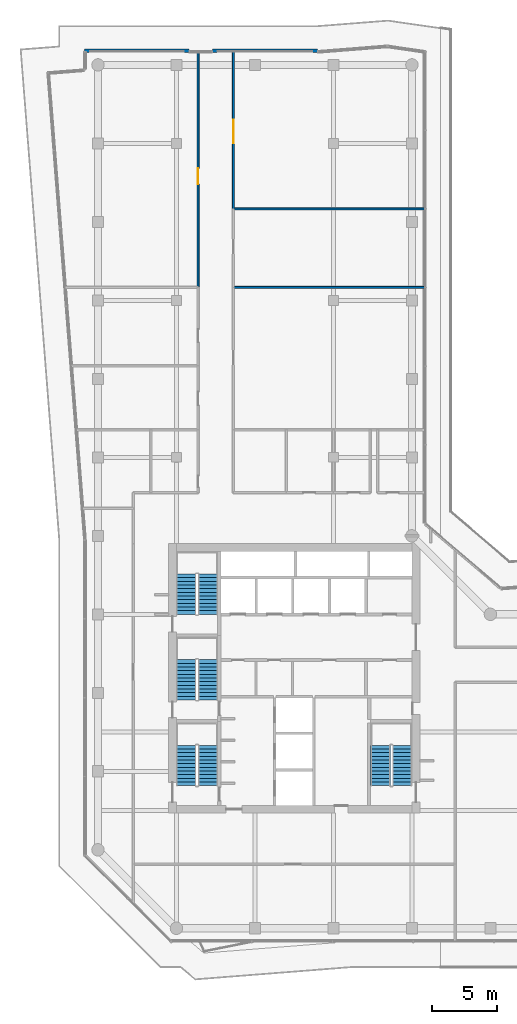
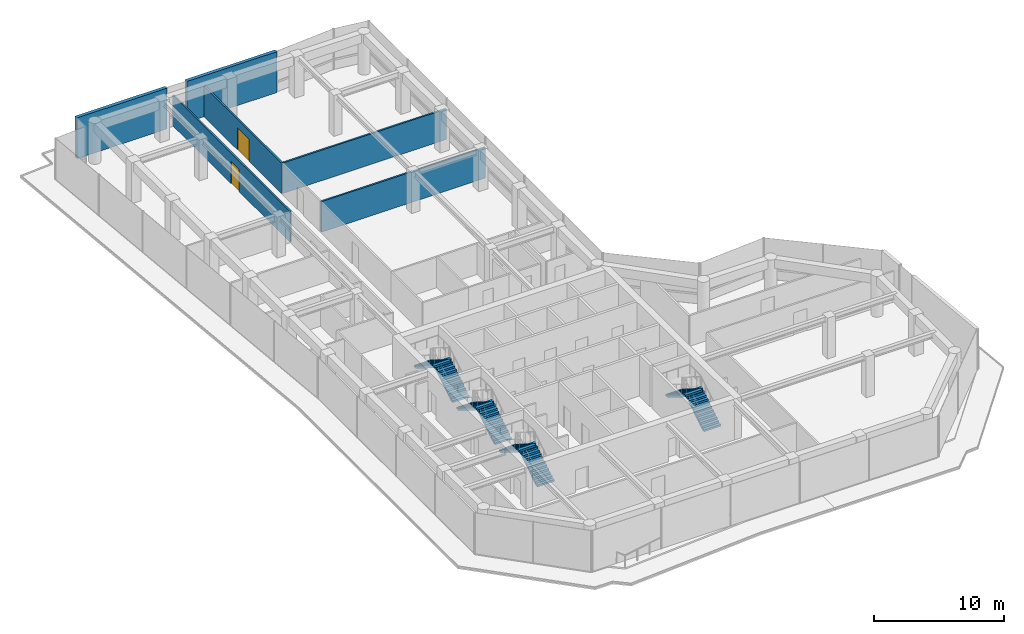
# One storey, part 21 of 23: 8 stair flights, 6 walls, 2 doors, 2 openings, 4 elements without a shape of their own.
"""IFC4 building model written with IfcOpenShell, lengths in metres."""

from ifc_helpers import new_model, si_unit, direction, frame, frame_2d, origin, place, context, subcontext, project, spatial, polyline, rectangle, outline, extrude, material, layer, layer_set, type_object, element, fill, aggregate, save


model = new_model("IFC4")

# Units and contexts
model_context = context("Model", 3, precision=1e-05, world=origin(), true_north=direction((0.0, 1.0)))
body_context = subcontext(model_context, "Body", "Model", "MODEL_VIEW")
ifc_project = project(units=[si_unit("LENGTHUNIT", "METRE"), si_unit("AREAUNIT", "SQUARE_METRE"), si_unit("VOLUMEUNIT", "CUBIC_METRE"), si_unit("PLANEANGLEUNIT", "RADIAN"), si_unit("MASSUNIT", "GRAM", prefix="KILO")], contexts=[model_context])

# Site, building, storey
site_placement = place(None, origin())
site = spatial("IfcSite", under=ifc_project, at=site_placement, CompositionType="ELEMENT")
building_placement = place(site_placement, origin())
building = spatial("IfcBuilding", under=site, at=building_placement, Name="Welwitschia Terrace Campus", CompositionType="ELEMENT")
storey_placement = place(building_placement, frame((0.0, 0.0, 188.60009765625)))
storey = spatial("IfcBuildingStorey", under=building, at=storey_placement, Name="L42", CompositionType="ELEMENT", Elevation=188.60009765625)

# Wall, opening, door
ifc_material_1 = material(Name="Gypsum board on steel studs", Category="steel")
ifc_layer_1 = layer(ifc_material_1, 0.14990234375)
ifc_layer_set_1 = layer_set([ifc_layer_1], Name="Gypsum board on steel studs")
wall_type_1 = type_object("IfcWallType", Name="Corridor partition 150 EI 30", PredefinedType="PARTITIONING", material=ifc_layer_set_1)
wall_1_placement = place(storey_placement, frame((7.64990234375, 45.0, 0.0), z_axis=(0.0, 0.0, 1.0), x_axis=(0.0, 1.0, 0.0)))
wall_1 = element("IfcWall", 1, at=wall_1_placement, inside=storey, type_object=wall_type_1, Name="Partition", PredefinedType="PARTITIONING", context=body_context, shape_type="SweptSolid", body=[
    extrude(rectangle(XDim=18.090087890625, YDim=0.14990234375, at=frame_2d((9.044921875, 0.0))), origin(), (0.0, 0.0, 1.0), 2.8798828125),
])
opening_1_placement = place(wall_1_placement, frame((7.8798828125, 0.0, 0.0)))
opening_1 = element("IfcOpeningElement", 2, at=opening_1_placement, cuts=wall_1, Name="Opening DI12", PredefinedType="OPENING", context=body_context, shape_type="SweptSolid", body=[
    extrude(rectangle(XDim=1.199951171875, YDim=2.10009765625, at=frame_2d((0.60009765625, 1.050048828125))), frame((0.0, 0.0849609375, 0.0), z_axis=(0.0, -1.0, 0.0), x_axis=(1.0, 0.0, 0.0)), (0.0, 0.0, 1.0), 0.169921875),
])
ifc_material_2 = material(Name="Timber veneered door", Category="wood")
door_type_1 = type_object("IfcDoorType", Name="Interior door DI12", OperationType="NOTDEFINED", PredefinedType="DOOR", material=ifc_material_2)
door_1_placement = place(opening_1_placement, origin())
door_1 = element("IfcDoor", 3, at=door_1_placement, inside=storey, type_object=door_type_1, Name="Door L42 827", OperationType="SINGLE_SWING_RIGHT", OverallHeight=2.10009765625, OverallWidth=1.199951171875, PredefinedType="DOOR", context=body_context, shape_type="SweptSolid", body=[
    extrude(rectangle(XDim=1.199951171875, YDim=2.10009765625, at=frame_2d((0.60009765625, 1.050048828125))), frame((0.0, 0.02490234375, 0.0), z_axis=(0.0, -1.0, 0.0), x_axis=(1.0, 0.0, 0.0)), (0.0, 0.0, 1.0), 0.050048828125),
])
fill(opening_1, door_1)

# Wall
wall_2_placement = place(storey_placement, frame((10.35009765625, 45.0, 0.0), z_axis=(0.0, 0.0, 1.0), x_axis=(1.0, 0.0, 0.0)))
element("IfcWall", 4, at=wall_2_placement, inside=storey, type_object=wall_type_1, Name="Partition", PredefinedType="PARTITIONING", context=body_context, shape_type="SweptSolid", body=[
    extrude(rectangle(XDim=14.614990234375, YDim=0.14990234375, at=frame_2d((7.3076171875, 0.0))), origin(), (0.0, 0.0, 1.0), 2.8798828125),
])

# Wall, opening, door
wall_3_placement = place(storey_placement, frame((10.35009765625, 51.0, 0.0), z_axis=(0.0, 0.0, 1.0), x_axis=(0.0, 1.0, 0.0)))
wall_3 = element("IfcWall", 5, at=wall_3_placement, inside=storey, type_object=wall_type_1, Name="Partition", PredefinedType="PARTITIONING", context=body_context, shape_type="SweptSolid", body=[
    extrude(rectangle(XDim=12.090087890625, YDim=0.14990234375, at=frame_2d((6.044921875, 0.0))), origin(), (0.0, 0.0, 1.0), 2.8798828125),
])
opening_2_placement = place(wall_3_placement, frame((5.0, 0.0, 0.0)))
opening_2 = element("IfcOpeningElement", 6, at=opening_2_placement, cuts=wall_3, Name="Opening DI18", PredefinedType="OPENING", context=body_context, shape_type="SweptSolid", body=[
    extrude(rectangle(XDim=1.800048828125, YDim=2.10009765625, at=frame_2d((0.89990234375, 1.050048828125))), frame((0.0, 0.0849609375, 0.0), z_axis=(0.0, -1.0, 0.0), x_axis=(1.0, 0.0, 0.0)), (0.0, 0.0, 1.0), 0.169921875),
])
ifc_material_3 = material(Name="Timber veneered door", Category="wood")
door_type_2 = type_object("IfcDoorType", Name="Interior door DI18", OperationType="DOUBLE_DOOR_SINGLE_SWING", PredefinedType="DOOR", material=ifc_material_3)
door_2_placement = place(opening_2_placement, origin())
door_2 = element("IfcDoor", 7, at=door_2_placement, inside=storey, type_object=door_type_2, Name="Door L42 830", OperationType="SINGLE_SWING_LEFT", OverallHeight=2.10009765625, OverallWidth=1.800048828125, PredefinedType="DOOR", context=body_context, shape_type="SweptSolid", body=[
    extrude(rectangle(XDim=1.800048828125, YDim=2.10009765625, at=frame_2d((0.89990234375, 1.050048828125))), frame((0.0, 0.02490234375, 0.0), z_axis=(0.0, -1.0, 0.0), x_axis=(1.0, 0.0, 0.0)), (0.0, 0.0, 1.0), 0.050048828125),
])
fill(opening_2, door_2)

# Walls
wall_4_placement = place(storey_placement, frame((10.35009765625, 51.0, 0.0), z_axis=(0.0, 0.0, 1.0), x_axis=(1.0, 0.0, 0.0)))
element("IfcWall", 8, at=wall_4_placement, inside=storey, type_object=wall_type_1, Name="Partition", PredefinedType="PARTITIONING", context=body_context, shape_type="SweptSolid", body=[
    extrude(rectangle(XDim=14.614990234375, YDim=0.14990234375, at=frame_2d((7.3076171875, 0.0))), origin(), (0.0, 0.0, 1.0), 2.8798828125),
])
ifc_material_4 = material(Name="Concrete C40/50", Category="concrete")
ifc_layer_2 = layer(ifc_material_4, 0.300048828125)
ifc_layer_set_2 = layer_set([ifc_layer_2], Name="Concrete C40/50")
wall_type_2 = type_object("IfcWallType", Name="Mass wall 300", PredefinedType="SOLIDWALL", material=ifc_layer_set_2)
for number, where, z_axis, x_axis, name in (
    (9, (16.77685546875, 63.080078125, 0.0), (0.0, 0.0, 1.0), (-1.0, 0.0, 0.0), "Mass wall L42.12.0"),
    (10, (6.973388671875, 63.078125, 0.0), (0.0, 0.0, 1.0), (-1.0, 0.0, 0.0), "Mass wall L42.12.1"),
):
    element("IfcWall", number, at=place(storey_placement, frame(where, z_axis=z_axis, x_axis=x_axis)), inside=storey, type_object=wall_type_2, Name=name, PredefinedType="SOLIDWALL", context=body_context, shape_type="SweptSolid", body=[
        extrude(rectangle(XDim=8.00341796875, YDim=0.300048828125, at=frame_2d((4.001708984375, 0.0))), origin(), (0.0, 0.0, 1.0), 3.849853515625),
    ])

# Stair, stair flights
ifc_material_5 = material(Name="Concrete C40/50", Category="concrete")
stair_type = type_object("IfcStairType", Name="Stair 24R 175 W1500", PredefinedType="HALF_TURN_STAIR", material=ifc_material_5)
stair_1_placement = place(storey_placement, origin())
stair_1 = element("IfcStair", 11, at=stair_1_placement, inside=storey, type_object=stair_type, Name="L42 Exit stair S1", PredefinedType="HALF_TURN_STAIR")
ifc_material_6 = material(Name="Concrete C40/50", Category="concrete")
stair_flight_type = type_object("IfcStairFlightType", Name="Stair flight 24R 175 W1500", PredefinedType="STRAIGHT", material=ifc_material_6)
stair_flight_1_placement = place(storey_placement, frame((8.39990234375, 6.89990234375, 0.0), z_axis=(0.0, 0.0, 1.0), x_axis=(0.0, 1.0, 0.0)))
stair_flight_1 = element("IfcStairFlight", 12, at=stair_flight_1_placement, type_object=stair_flight_type, Name="S1 flight 1", NumberOfRisers=12, NumberOfTreads=11, PredefinedType="STRAIGHT", RiserHeight=0.175, TreadLength=0.28, context=body_context, shape_type="SweptSolid", body=[
    extrude(outline(polyline([(0.0, 0.0), (0.0, 0.175048828125), (0.280029296875, 0.175048828125), (0.280029296875, 0.35009765625), (0.56005859375, 0.35009765625), (0.56005859375, 0.52490234375), (0.840087890625, 0.52490234375), (0.840087890625, 0.699951171875), (1.1201171875, 0.699951171875), (1.1201171875, 0.875), (1.39990234375, 0.875), (1.39990234375, 1.050048828125), (1.679931640625, 1.050048828125), (1.679931640625, 1.22509765625), (1.9599609375, 1.22509765625), (1.9599609375, 1.39990234375), (2.239990234375, 1.39990234375), (2.239990234375, 1.574951171875), (2.52001953125, 1.574951171875), (2.52001953125, 1.75), (2.800048828125, 1.75), (2.800048828125, 1.925048828125), (3.080078125, 1.925048828125), (3.080078125, 2.10009765625), (3.080078125, 1.748291015625), (0.28271484375, 0.0), (0.0, 0.0)])), frame((0.0, 0.75, 0.0), z_axis=(0.0, -1.0, 0.0), x_axis=(1.0, 0.0, 0.0)), (0.0, 0.0, 1.0), 1.5),
])
stair_flight_2_placement = place(storey_placement, frame((6.75, 9.97998046875, 2.099853515625), z_axis=(0.0, 0.0, 1.0), x_axis=(0.0, -1.0, 0.0)))
stair_flight_2 = element("IfcStairFlight", 13, at=stair_flight_2_placement, type_object=stair_flight_type, Name="S1 flight 2", NumberOfRisers=12, NumberOfTreads=11, PredefinedType="STRAIGHT", RiserHeight=0.175, TreadLength=0.28, context=body_context, shape_type="SweptSolid", body=[
    extrude(outline(polyline([(0.0, 0.0), (0.0, 0.175048828125), (0.280029296875, 0.175048828125), (0.280029296875, 0.35009765625), (0.56005859375, 0.35009765625), (0.56005859375, 0.52490234375), (0.840087890625, 0.52490234375), (0.840087890625, 0.699951171875), (1.1201171875, 0.699951171875), (1.1201171875, 0.875), (1.39990234375, 0.875), (1.39990234375, 1.050048828125), (1.679931640625, 1.050048828125), (1.679931640625, 1.22509765625), (1.9599609375, 1.22509765625), (1.9599609375, 1.39990234375), (2.239990234375, 1.39990234375), (2.239990234375, 1.574951171875), (2.52001953125, 1.574951171875), (2.52001953125, 1.75), (2.800048828125, 1.75), (2.800048828125, 1.925048828125), (3.080078125, 1.925048828125), (3.080078125, 2.10009765625), (3.080078125, 1.748291015625), (0.28271484375, 0.0), (0.0, 0.0)])), frame((0.0, 0.75, 0.0), z_axis=(0.0, -1.0, 0.0), x_axis=(1.0, 0.0, 0.0)), (0.0, 0.0, 1.0), 1.5),
])
aggregate(stair_1, [stair_flight_1, stair_flight_2])

stair_2_placement = place(storey_placement, origin())
stair_2 = element("IfcStair", 14, at=stair_2_placement, inside=storey, type_object=stair_type, Name="L42 Exit stair S3", PredefinedType="HALF_TURN_STAIR")
stair_flight_3_placement = place(storey_placement, frame((8.39990234375, 13.449951171875, 0.0), z_axis=(0.0, 0.0, 1.0), x_axis=(0.0, 1.0, 0.0)))
stair_flight_3 = element("IfcStairFlight", 15, at=stair_flight_3_placement, type_object=stair_flight_type, Name="S3 flight 1", NumberOfRisers=12, NumberOfTreads=11, PredefinedType="STRAIGHT", RiserHeight=0.175, TreadLength=0.28, context=body_context, shape_type="SweptSolid", body=[
    extrude(outline(polyline([(0.0, 0.0), (0.0, 0.175048828125), (0.280029296875, 0.175048828125), (0.280029296875, 0.35009765625), (0.56005859375, 0.35009765625), (0.56005859375, 0.52490234375), (0.840087890625, 0.52490234375), (0.840087890625, 0.699951171875), (1.1201171875, 0.699951171875), (1.1201171875, 0.875), (1.39990234375, 0.875), (1.39990234375, 1.050048828125), (1.679931640625, 1.050048828125), (1.679931640625, 1.22509765625), (1.9599609375, 1.22509765625), (1.9599609375, 1.39990234375), (2.239990234375, 1.39990234375), (2.239990234375, 1.574951171875), (2.52001953125, 1.574951171875), (2.52001953125, 1.75), (2.800048828125, 1.75), (2.800048828125, 1.925048828125), (3.080078125, 1.925048828125), (3.080078125, 2.10009765625), (3.080078125, 1.748291015625), (0.28271484375, 0.0), (0.0, 0.0)])), frame((0.0, 0.75, 0.0), z_axis=(0.0, -1.0, 0.0), x_axis=(1.0, 0.0, 0.0)), (0.0, 0.0, 1.0), 1.5),
])
stair_flight_4_placement = place(storey_placement, frame((6.75, 16.530029296875, 2.099853515625), z_axis=(0.0, 0.0, 1.0), x_axis=(0.0, -1.0, 0.0)))
stair_flight_4 = element("IfcStairFlight", 16, at=stair_flight_4_placement, type_object=stair_flight_type, Name="S3 flight 2", NumberOfRisers=12, NumberOfTreads=11, PredefinedType="STRAIGHT", RiserHeight=0.175, TreadLength=0.28, context=body_context, shape_type="SweptSolid", body=[
    extrude(outline(polyline([(0.0, 0.0), (0.0, 0.175048828125), (0.280029296875, 0.175048828125), (0.280029296875, 0.35009765625), (0.56005859375, 0.35009765625), (0.56005859375, 0.52490234375), (0.840087890625, 0.52490234375), (0.840087890625, 0.699951171875), (1.1201171875, 0.699951171875), (1.1201171875, 0.875), (1.39990234375, 0.875), (1.39990234375, 1.050048828125), (1.679931640625, 1.050048828125), (1.679931640625, 1.22509765625), (1.9599609375, 1.22509765625), (1.9599609375, 1.39990234375), (2.239990234375, 1.39990234375), (2.239990234375, 1.574951171875), (2.52001953125, 1.574951171875), (2.52001953125, 1.75), (2.800048828125, 1.75), (2.800048828125, 1.925048828125), (3.080078125, 1.925048828125), (3.080078125, 2.10009765625), (3.080078125, 1.748291015625), (0.28271484375, 0.0), (0.0, 0.0)])), frame((0.0, 0.75, 0.0), z_axis=(0.0, -1.0, 0.0), x_axis=(1.0, 0.0, 0.0)), (0.0, 0.0, 1.0), 1.5),
])
aggregate(stair_2, [stair_flight_3, stair_flight_4])

stair_3_placement = place(storey_placement, origin())
stair_3 = element("IfcStair", 17, at=stair_3_placement, inside=storey, type_object=stair_type, Name="L42 Exit stair S4", PredefinedType="HALF_TURN_STAIR")
stair_flight_5_placement = place(storey_placement, frame((8.39990234375, 20.0, 0.0), z_axis=(0.0, 0.0, 1.0), x_axis=(0.0, 1.0, 0.0)))
stair_flight_5 = element("IfcStairFlight", 18, at=stair_flight_5_placement, type_object=stair_flight_type, Name="S4 flight 1", NumberOfRisers=12, NumberOfTreads=11, PredefinedType="STRAIGHT", RiserHeight=0.175, TreadLength=0.28, context=body_context, shape_type="SweptSolid", body=[
    extrude(outline(polyline([(0.0, 0.0), (0.0, 0.175048828125), (0.280029296875, 0.175048828125), (0.280029296875, 0.35009765625), (0.56005859375, 0.35009765625), (0.56005859375, 0.52490234375), (0.840087890625, 0.52490234375), (0.840087890625, 0.699951171875), (1.1201171875, 0.699951171875), (1.1201171875, 0.875), (1.39990234375, 0.875), (1.39990234375, 1.050048828125), (1.679931640625, 1.050048828125), (1.679931640625, 1.22509765625), (1.9599609375, 1.22509765625), (1.9599609375, 1.39990234375), (2.239990234375, 1.39990234375), (2.239990234375, 1.574951171875), (2.52001953125, 1.574951171875), (2.52001953125, 1.75), (2.800048828125, 1.75), (2.800048828125, 1.925048828125), (3.080078125, 1.925048828125), (3.080078125, 2.10009765625), (3.080078125, 1.748291015625), (0.28271484375, 0.0), (0.0, 0.0)])), frame((0.0, 0.75, 0.0), z_axis=(0.0, -1.0, 0.0), x_axis=(1.0, 0.0, 0.0)), (0.0, 0.0, 1.0), 1.5),
])
stair_flight_6_placement = place(storey_placement, frame((6.75, 23.080078125, 2.099853515625), z_axis=(0.0, 0.0, 1.0), x_axis=(0.0, -1.0, 0.0)))
stair_flight_6 = element("IfcStairFlight", 19, at=stair_flight_6_placement, type_object=stair_flight_type, Name="S4 flight 2", NumberOfRisers=12, NumberOfTreads=11, PredefinedType="STRAIGHT", RiserHeight=0.175, TreadLength=0.28, context=body_context, shape_type="SweptSolid", body=[
    extrude(outline(polyline([(0.0, 0.0), (0.0, 0.175048828125), (0.280029296875, 0.175048828125), (0.280029296875, 0.35009765625), (0.56005859375, 0.35009765625), (0.56005859375, 0.52490234375), (0.840087890625, 0.52490234375), (0.840087890625, 0.699951171875), (1.1201171875, 0.699951171875), (1.1201171875, 0.875), (1.39990234375, 0.875), (1.39990234375, 1.050048828125), (1.679931640625, 1.050048828125), (1.679931640625, 1.22509765625), (1.9599609375, 1.22509765625), (1.9599609375, 1.39990234375), (2.239990234375, 1.39990234375), (2.239990234375, 1.574951171875), (2.52001953125, 1.574951171875), (2.52001953125, 1.75), (2.800048828125, 1.75), (2.800048828125, 1.925048828125), (3.080078125, 1.925048828125), (3.080078125, 2.10009765625), (3.080078125, 1.748291015625), (0.28271484375, 0.0), (0.0, 0.0)])), frame((0.0, 0.75, 0.0), z_axis=(0.0, -1.0, 0.0), x_axis=(1.0, 0.0, 0.0)), (0.0, 0.0, 1.0), 1.5),
])
aggregate(stair_3, [stair_flight_5, stair_flight_6])

stair_4_placement = place(storey_placement, origin())
stair_4 = element("IfcStair", 20, at=stair_4_placement, inside=storey, type_object=stair_type, Name="L42 Exit stair S2", PredefinedType="HALF_TURN_STAIR")
stair_flight_7_placement = place(storey_placement, frame((23.25, 6.89990234375, 0.0), z_axis=(0.0, 0.0, 1.0), x_axis=(0.0, 1.0, 0.0)))
stair_flight_7 = element("IfcStairFlight", 21, at=stair_flight_7_placement, type_object=stair_flight_type, Name="S2 flight 1", NumberOfRisers=12, NumberOfTreads=11, PredefinedType="STRAIGHT", RiserHeight=0.175, TreadLength=0.28, context=body_context, shape_type="SweptSolid", body=[
    extrude(outline(polyline([(0.0, 0.0), (0.0, 0.175048828125), (0.280029296875, 0.175048828125), (0.280029296875, 0.35009765625), (0.56005859375, 0.35009765625), (0.56005859375, 0.52490234375), (0.840087890625, 0.52490234375), (0.840087890625, 0.699951171875), (1.1201171875, 0.699951171875), (1.1201171875, 0.875), (1.39990234375, 0.875), (1.39990234375, 1.050048828125), (1.679931640625, 1.050048828125), (1.679931640625, 1.22509765625), (1.9599609375, 1.22509765625), (1.9599609375, 1.39990234375), (2.239990234375, 1.39990234375), (2.239990234375, 1.574951171875), (2.52001953125, 1.574951171875), (2.52001953125, 1.75), (2.800048828125, 1.75), (2.800048828125, 1.925048828125), (3.080078125, 1.925048828125), (3.080078125, 2.10009765625), (3.080078125, 1.748291015625), (0.28271484375, 0.0), (0.0, 0.0)])), frame((0.0, 0.75, 0.0), z_axis=(0.0, -1.0, 0.0), x_axis=(1.0, 0.0, 0.0)), (0.0, 0.0, 1.0), 1.5),
])
stair_flight_8_placement = place(storey_placement, frame((21.60009765625, 9.97998046875, 2.099853515625), z_axis=(0.0, 0.0, 1.0), x_axis=(0.0, -1.0, 0.0)))
stair_flight_8 = element("IfcStairFlight", 22, at=stair_flight_8_placement, type_object=stair_flight_type, Name="S2 flight 2", NumberOfRisers=12, NumberOfTreads=11, PredefinedType="STRAIGHT", RiserHeight=0.175, TreadLength=0.28, context=body_context, shape_type="SweptSolid", body=[
    extrude(outline(polyline([(0.0, 0.0), (0.0, 0.175048828125), (0.280029296875, 0.175048828125), (0.280029296875, 0.35009765625), (0.56005859375, 0.35009765625), (0.56005859375, 0.52490234375), (0.840087890625, 0.52490234375), (0.840087890625, 0.699951171875), (1.1201171875, 0.699951171875), (1.1201171875, 0.875), (1.39990234375, 0.875), (1.39990234375, 1.050048828125), (1.679931640625, 1.050048828125), (1.679931640625, 1.22509765625), (1.9599609375, 1.22509765625), (1.9599609375, 1.39990234375), (2.239990234375, 1.39990234375), (2.239990234375, 1.574951171875), (2.52001953125, 1.574951171875), (2.52001953125, 1.75), (2.800048828125, 1.75), (2.800048828125, 1.925048828125), (3.080078125, 1.925048828125), (3.080078125, 2.10009765625), (3.080078125, 1.748291015625), (0.28271484375, 0.0), (0.0, 0.0)])), frame((0.0, 0.75, 0.0), z_axis=(0.0, -1.0, 0.0), x_axis=(1.0, 0.0, 0.0)), (0.0, 0.0, 1.0), 1.5),
])
aggregate(stair_4, [stair_flight_7, stair_flight_8])

save(model, "model.ifc")
